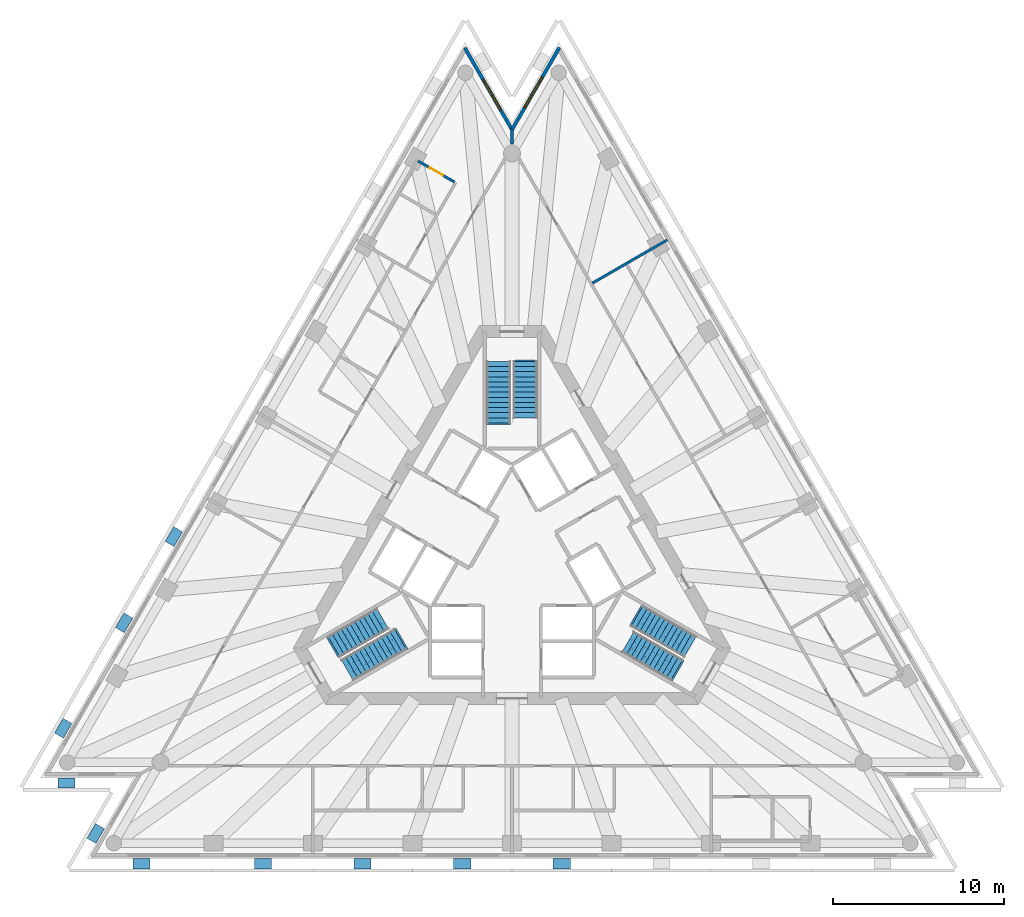
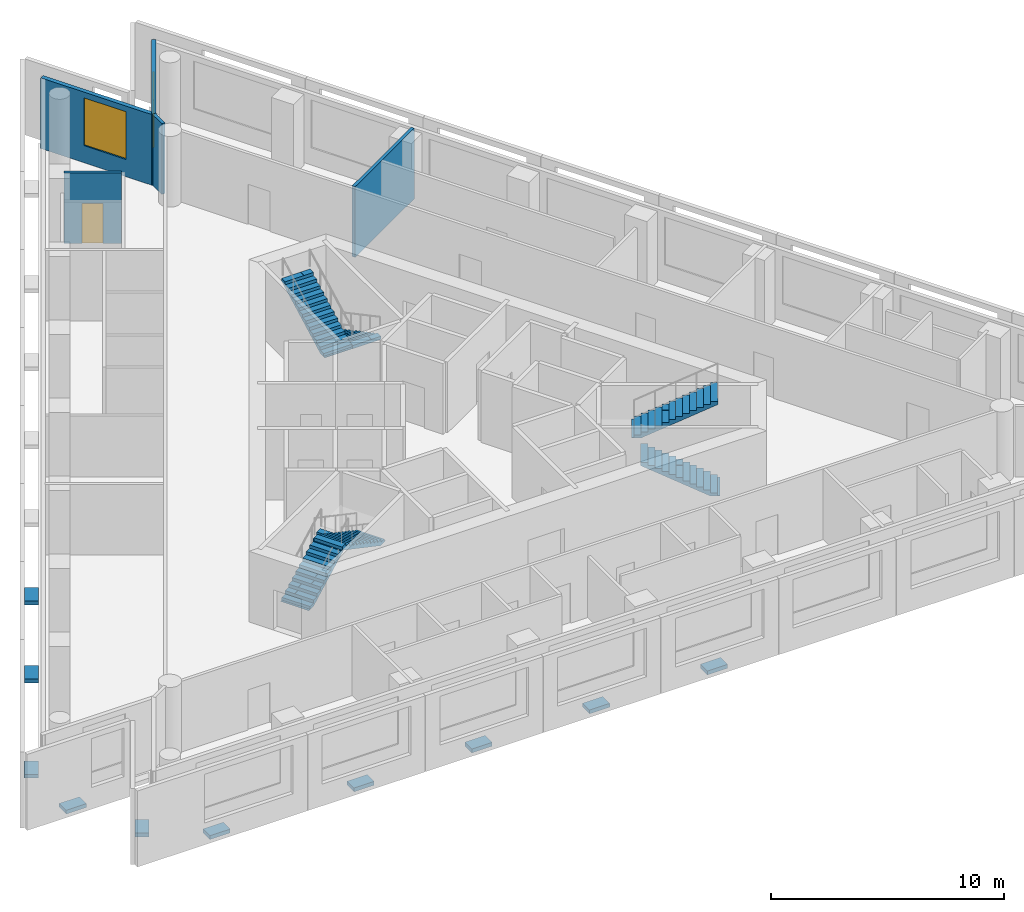
# One storey, part 7 of 10: 10 discrete accessories, 6 stair flights, 5 walls, 2 windows, 1 door, 3 openings, 3 elements without a shape of their own.
"""IFC4 building model written with IfcOpenShell, lengths in metres."""

from ifc_helpers import new_model, si_unit, direction, frame, frame_2d, origin, origin_2d, place, context, subcontext, project, spatial, polyline, rectangle, outline, extrude, material, layer, layer_set, layer_usage, type_object, element, fill, aggregate, save


model = new_model("IFC4")

# Units and contexts
model_context = context("Model", 3, precision=1e-05, world=origin(), true_north=direction((0.0, 1.0)))
body_context = subcontext(model_context, "Body", "Model", "MODEL_VIEW")
ifc_project = project(units=[si_unit("LENGTHUNIT", "METRE"), si_unit("AREAUNIT", "SQUARE_METRE"), si_unit("VOLUMEUNIT", "CUBIC_METRE"), si_unit("PLANEANGLEUNIT", "RADIAN"), si_unit("MASSUNIT", "GRAM", prefix="KILO")], contexts=[model_context])

# Site, building, storey
site_placement = place(None, origin())
site = spatial("IfcSite", under=ifc_project, at=site_placement, CompositionType="ELEMENT")
building_placement = place(site_placement, origin())
building = spatial("IfcBuilding", under=site, at=building_placement, Name="Triada Interchange Tower", CompositionType="ELEMENT")
storey_placement = place(building_placement, frame((0.0, 0.0, 247.300048828125)))
storey = spatial("IfcBuildingStorey", under=building, at=storey_placement, Name="L58", CompositionType="ELEMENT", Elevation=247.300048828125)

# Wall, opening, window
ifc_material_1 = material(Name="Cement board")
ifc_layer_1 = layer(ifc_material_1, 0.02001953125, Name="Cement board cladding")
ifc_material_2 = material(Name="Sheathing board")
ifc_layer_2 = layer(ifc_material_2, 0.014892578125, Name="Sheathing board")
ifc_material_3 = material(Name="Mineral wool")
ifc_layer_3 = layer(ifc_material_3, 0.14990234375, Name="Mineral wool between steel studs")
ifc_material_4 = material(Name="Gypsum board")
ifc_layer_4 = layer(ifc_material_4, 0.014892578125, Name="Plasterboard lining")
ifc_layer_set_1 = layer_set([ifc_layer_1, ifc_layer_2, ifc_layer_3, ifc_layer_4], Name="External wall 200")
ifc_layer_usage = layer_usage(ifc_layer_set_1, "AXIS2", "POSITIVE", -0.10009765625)
wall_type_1 = type_object("IfcWallType", Name="External wall 200", PredefinedType="ELEMENTEDWALL", material=ifc_layer_set_1)
wall_1_placement = place(storey_placement, frame((2.777099609375, 29.9951171875, 0.0), z_axis=(0.0, 0.0, 1.0), x_axis=(-0.499957919771, -0.866049697453, 0.0)))
wall_1 = element("IfcWall", 1, at=wall_1_placement, inside=storey, type_object=wall_type_1, material=ifc_layer_usage, Name="External wall L58 N-1", PredefinedType="ELEMENTEDWALL", context=body_context, shape_type="SweptSolid", body=[
    extrude(rectangle(XDim=5.62451171875, YDim=0.199951171875, at=frame_2d((2.812255859375, 0.0))), origin(), (0.0, 0.0, 1.0), 3.699951171875),
])
opening_1_placement = place(wall_1_placement, frame((1.989990234375, 0.0, 0.89990234375)))
opening_1 = element("IfcOpeningElement", 2, at=opening_1_placement, cuts=wall_1, Name="Opening WC29", PredefinedType="OPENING", context=body_context, shape_type="SweptSolid", body=[
    extrude(rectangle(XDim=2.10009765625, YDim=2.5, at=frame_2d((1.050048828125, 1.25))), frame((0.0, 0.10986328125, 0.0), z_axis=(0.0, -1.0, 0.0), x_axis=(1.0, 0.0, 0.0)), (0.0, 0.0, 1.0), 0.219970703125),
])
ifc_material_5 = material(Name="Double glazed aluminium window", Category="aluminium")
window_type = type_object("IfcWindowType", Name="Ribbon window C pocket", PartitioningType="SINGLE_PANEL", PredefinedType="WINDOW", material=ifc_material_5)
window_1_placement = place(opening_1_placement, origin())
window_1 = element("IfcWindow", 3, at=window_1_placement, inside=storey, type_object=window_type, Name="Window L58 N-1 1", OverallHeight=2.5, OverallWidth=2.10009765625, PartitioningType="SINGLE_PANEL", PredefinedType="WINDOW", context=body_context, shape_type="SweptSolid", body=[
    extrude(rectangle(XDim=2.10009765625, YDim=2.5, at=frame_2d((1.050048828125, 1.25))), frame((0.0, 0.030029296875, 0.0), z_axis=(0.0, -1.0, 0.0), x_axis=(1.0, 0.0, 0.0)), (0.0, 0.0, 1.0), 0.06005859375),
])
fill(opening_1, window_1)

wall_2_placement = place(storey_placement, frame((0.044921875, 25.10693359375, 0.0), z_axis=(0.0, 0.0, 1.0), x_axis=(-0.499957919771, 0.866049697453, 0.0)))
wall_2 = element("IfcWall", 4, at=wall_2_placement, inside=storey, type_object=wall_type_1, material=ifc_layer_usage, Name="External wall L58 N-2", PredefinedType="ELEMENTEDWALL", context=body_context, shape_type="SweptSolid", body=[
    extrude(rectangle(XDim=5.62451171875, YDim=0.199951171875, at=frame_2d((2.812255859375, 0.0))), origin(), (0.0, 0.0, 1.0), 3.699951171875),
])
opening_2_placement = place(wall_2_placement, frame((1.389892578125, 0.0, 0.89990234375)))
opening_2 = element("IfcOpeningElement", 5, at=opening_2_placement, cuts=wall_2, Name="Opening WC30", PredefinedType="OPENING", context=body_context, shape_type="SweptSolid", body=[
    extrude(rectangle(XDim=2.10009765625, YDim=2.5, at=frame_2d((1.050048828125, 1.25))), frame((0.0, 0.10986328125, 0.0), z_axis=(0.0, -1.0, 0.0), x_axis=(1.0, 0.0, 0.0)), (0.0, 0.0, 1.0), 0.219970703125),
])
window_2_placement = place(opening_2_placement, origin())
window_2 = element("IfcWindow", 6, at=window_2_placement, inside=storey, type_object=window_type, Name="Window L58 N-2 1", OverallHeight=2.5, OverallWidth=2.10009765625, PartitioningType="SINGLE_PANEL", PredefinedType="WINDOW", context=body_context, shape_type="SweptSolid", body=[
    extrude(rectangle(XDim=2.10009765625, YDim=2.5, at=frame_2d((1.050048828125, 1.25))), frame((0.0, 0.030029296875, 0.0), z_axis=(0.0, -1.0, 0.0), x_axis=(1.0, 0.0, 0.0)), (0.0, 0.0, 1.0), 0.06005859375),
])
fill(opening_2, window_2)

# Walls
ifc_material_6 = material(Name="Gypsum board partition")
ifc_layer_5 = layer(ifc_material_6, 0.14990234375)
ifc_layer_set_2 = layer_set([ifc_layer_5], Name="PARTITION 150 EI 180")
wall_type_2 = type_object("IfcWallType", Name="PARTITION 150 EI 180", PredefinedType="PARTITIONING", material=ifc_layer_set_2)
wall_3_placement = place(storey_placement, frame((0.0, 24.35009765625, 0.0), z_axis=(0.0, 0.0, 1.0), x_axis=(0.0, 1.0, 0.0)))
element("IfcWall", 7, at=wall_3_placement, inside=storey, type_object=wall_type_2, Name="Wall L56 20", PredefinedType="PARTITIONING", context=body_context, shape_type="SweptSolid", body=[
    extrude(rectangle(XDim=0.8349609375, YDim=0.14990234375, at=frame_2d((0.41748046875, 0.0))), origin(), (0.0, 0.0, 1.0), 3.699951171875),
])
wall_4_placement = place(storey_placement, frame((4.7109375, 16.18994140625, 0.0), z_axis=(0.0, 0.0, 1.0), x_axis=(0.866065287345, 0.499930913282, 0.0)))
element("IfcWall", 8, at=wall_4_placement, inside=storey, type_object=wall_type_2, Name="Wall L56 24", PredefinedType="PARTITIONING", context=body_context, shape_type="SweptSolid", body=[
    extrude(rectangle(XDim=5.069091796875, YDim=0.14990234375, at=frame_2d((2.53466796875, 0.0))), origin(), (0.0, 0.0, 1.0), 3.699951171875),
])

# Wall, opening, door
ifc_layer_6 = layer(ifc_material_6, 0.14990234375)
ifc_layer_set_3 = layer_set([ifc_layer_6], Name="PARTITION 150 EI 90")
wall_type_3 = type_object("IfcWallType", Name="PARTITION 150 EI 90", PredefinedType="PARTITIONING", material=ifc_layer_set_3)
wall_5_placement = place(storey_placement, frame((-5.501953125, 23.343994140625, 0.0), z_axis=(0.0, 0.0, 1.0), x_axis=(0.866000604582, -0.500042951019, 0.0)))
wall_5 = element("IfcWall", 9, at=wall_5_placement, inside=storey, type_object=wall_type_3, Name="Wall L56 30", PredefinedType="PARTITIONING", context=body_context, shape_type="SweptSolid", body=[
    extrude(rectangle(XDim=2.461669921875, YDim=0.14990234375, at=frame_2d((1.23095703125, 0.0))), origin(), (0.0, 0.0, 1.0), 3.699951171875),
])
opening_3_placement = place(wall_5_placement, frame((0.77490234375, 0.0, 0.0)))
opening_3 = element("IfcOpeningElement", 10, at=opening_3_placement, cuts=wall_5, Name="Opening D56-32", PredefinedType="OPENING", context=body_context, shape_type="SweptSolid", body=[
    extrude(rectangle(XDim=0.89990234375, YDim=2.10009765625, at=frame_2d((0.449951171875, 1.050048828125))), frame((0.0, 0.0849609375, 0.0), z_axis=(0.0, -1.0, 0.0), x_axis=(1.0, 0.0, 0.0)), (0.0, 0.0, 1.0), 0.169921875),
])
ifc_material_7 = material(Name="Steel S235 door leaf", Category="steel")
door_type = type_object("IfcDoorType", Name="SERVICE DOOR 900 EI2 45-C5S200", OperationType="NOTDEFINED", PredefinedType="DOOR", material=ifc_material_7)
door_placement = place(opening_3_placement, origin())
door = element("IfcDoor", 11, at=door_placement, inside=storey, type_object=door_type, Name="Door D56-32 L58", OperationType="SINGLE_SWING_RIGHT", OverallHeight=2.10009765625, OverallWidth=0.89990234375, PredefinedType="DOOR", context=body_context, shape_type="SweptSolid", body=[
    extrude(rectangle(XDim=0.89990234375, YDim=2.10009765625, at=frame_2d((0.449951171875, 1.050048828125))), frame((0.0, 0.02490234375, 0.0), z_axis=(0.0, -1.0, 0.0), x_axis=(1.0, 0.0, 0.0)), (0.0, 0.0, 1.0), 0.050048828125),
])
fill(opening_3, door)

# Stair, stair flights
ifc_material_8 = material(Name="Concrete C35/45", Category="concrete")
stair_type = type_object("IfcStairType", Name="HALF TURN STAIR 1400", PredefinedType="HALF_TURN_STAIR", material=ifc_material_8)
stair_1_placement = place(storey_placement, origin())
stair_1 = element("IfcStair", 12, at=stair_1_placement, inside=storey, type_object=stair_type, Name="Exit stair S56-1", PredefinedType="HALF_TURN_STAIR")
stair_flight_type = type_object("IfcStairFlightType", Name="STRAIGHT STAIR FLIGHT 1400", PredefinedType="STRAIGHT", material=ifc_material_8)
stair_flight_1_placement = place(storey_placement, frame((0.800048828125, 11.60009765625, 0.0), z_axis=(0.0, 0.0, 1.0), x_axis=(0.0, -1.0, 0.0)))
stair_flight_1 = element("IfcStairFlight", 13, at=stair_flight_1_placement, type_object=stair_flight_type, Name="S56-1 flight 1", NumberOfRisers=12, NumberOfTreads=11, PredefinedType="STRAIGHT", RiserHeight=0.16, TreadLength=0.3, context=body_context, shape_type="SweptSolid", body=[
    extrude(outline(polyline([(-0.10009765625, 0.0), (-0.10009765625, 0.02001953125), (0.0, 0.02001953125), (0.0, 0.159912109375), (0.300048828125, 0.159912109375), (0.300048828125, 0.320068359375), (0.60009765625, 0.320068359375), (0.60009765625, 0.47998046875), (0.89990234375, 0.47998046875), (0.89990234375, 0.639892578125), (1.199951171875, 0.639892578125), (1.199951171875, 0.800048828125), (1.5, 0.800048828125), (1.5, 0.9599609375), (1.800048828125, 0.9599609375), (1.800048828125, 1.1201171875), (2.10009765625, 1.1201171875), (2.10009765625, 1.280029296875), (2.39990234375, 1.280029296875), (2.39990234375, 1.43994140625), (2.699951171875, 1.43994140625), (2.699951171875, 1.60009765625), (3.0, 1.60009765625), (3.0, 1.760009765625), (3.300048828125, 1.760009765625), (3.303955078125, 1.760009765625), (3.303955078125, 1.919921875), (3.303955078125, 1.590087890625), (0.318603515625, 0.0), (-0.10009765625, 0.0)])), frame((0.0, 0.699951171875, 0.0), z_axis=(0.0, -1.0, 0.0), x_axis=(1.0, 0.0, 0.0)), (0.0, 0.0, 1.0), 0.46533203125),
    extrude(outline(polyline([(-0.10009765625, 0.0), (-0.10009765625, 0.02001953125), (0.0, 0.02001953125), (0.0, 0.159912109375), (0.300048828125, 0.159912109375), (0.300048828125, 0.320068359375), (0.60009765625, 0.320068359375), (0.60009765625, 0.47998046875), (0.89990234375, 0.47998046875), (0.89990234375, 0.639892578125), (1.199951171875, 0.639892578125), (1.199951171875, 0.800048828125), (1.5, 0.800048828125), (1.5, 0.9599609375), (1.800048828125, 0.9599609375), (1.800048828125, 1.1201171875), (2.10009765625, 1.1201171875), (2.10009765625, 1.280029296875), (2.39990234375, 1.280029296875), (2.39990234375, 1.43994140625), (2.699951171875, 1.43994140625), (2.699951171875, 1.60009765625), (3.0, 1.60009765625), (3.0, 1.760009765625), (3.300048828125, 1.760009765625), (3.303955078125, 1.760009765625), (3.303955078125, 1.919921875), (3.303955078125, 1.590087890625), (0.318603515625, 0.0), (-0.10009765625, 0.0)])), frame((0.0, 0.232666015625, 0.0), z_axis=(0.0, -1.0, 0.0), x_axis=(1.0, 0.0, 0.0)), (0.0, 0.0, 1.0), 0.46533203125),
    extrude(outline(polyline([(-0.10009765625, 0.0), (-0.10009765625, 0.02001953125), (0.0, 0.02001953125), (0.0, 0.159912109375), (0.300048828125, 0.159912109375), (0.300048828125, 0.320068359375), (0.60009765625, 0.320068359375), (0.60009765625, 0.47998046875), (0.89990234375, 0.47998046875), (0.89990234375, 0.639892578125), (1.199951171875, 0.639892578125), (1.199951171875, 0.800048828125), (1.5, 0.800048828125), (1.5, 0.9599609375), (1.800048828125, 0.9599609375), (1.800048828125, 1.1201171875), (2.10009765625, 1.1201171875), (2.10009765625, 1.280029296875), (2.39990234375, 1.280029296875), (2.39990234375, 1.43994140625), (2.699951171875, 1.43994140625), (2.699951171875, 1.60009765625), (3.0, 1.60009765625), (3.0, 1.760009765625), (3.300048828125, 1.760009765625), (3.303955078125, 1.760009765625), (3.303955078125, 1.919921875), (3.303955078125, 1.590087890625), (0.318603515625, 0.0), (-0.10009765625, 0.0)])), frame((0.0, -0.234619140625, 0.0), z_axis=(0.0, -1.0, 0.0), x_axis=(1.0, 0.0, 0.0)), (0.0, 0.0, 1.0), 0.46533203125),
])
stair_flight_2_placement = place(storey_placement, frame((-0.800048828125, 8.0, 1.919921875), z_axis=(0.0, 0.0, 1.0), x_axis=(0.0, 1.0, 0.0)))
stair_flight_2 = element("IfcStairFlight", 14, at=stair_flight_2_placement, type_object=stair_flight_type, Name="S56-1 flight 2", NumberOfRisers=13, NumberOfTreads=12, PredefinedType="STRAIGHT", RiserHeight=0.16, TreadLength=0.3, context=body_context, shape_type="SweptSolid", body=[
    extrude(outline(polyline([(-0.10009765625, 0.0), (-0.10009765625, 0.02001953125), (0.0, 0.02001953125), (0.0, 0.159912109375), (0.300048828125, 0.159912109375), (0.300048828125, 0.320068359375), (0.60009765625, 0.320068359375), (0.60009765625, 0.47998046875), (0.89990234375, 0.47998046875), (0.89990234375, 0.639892578125), (1.199951171875, 0.639892578125), (1.199951171875, 0.800048828125), (1.5, 0.800048828125), (1.5, 0.9599609375), (1.800048828125, 0.9599609375), (1.800048828125, 1.1201171875), (2.10009765625, 1.1201171875), (2.10009765625, 1.280029296875), (2.39990234375, 1.280029296875), (2.39990234375, 1.43994140625), (2.699951171875, 1.43994140625), (2.699951171875, 1.60009765625), (3.0, 1.60009765625), (3.0, 1.760009765625), (3.300048828125, 1.760009765625), (3.300048828125, 1.919921875), (3.60009765625, 1.919921875), (3.60400390625, 1.919921875), (3.60400390625, 2.080078125), (3.60400390625, 1.75), (0.318603515625, 0.0), (-0.10009765625, 0.0)])), frame((0.0, 0.699951171875, 0.0), z_axis=(0.0, -1.0, 0.0), x_axis=(1.0, 0.0, 0.0)), (0.0, 0.0, 1.0), 0.46533203125),
    extrude(outline(polyline([(-0.10009765625, 0.0), (-0.10009765625, 0.02001953125), (0.0, 0.02001953125), (0.0, 0.159912109375), (0.300048828125, 0.159912109375), (0.300048828125, 0.320068359375), (0.60009765625, 0.320068359375), (0.60009765625, 0.47998046875), (0.89990234375, 0.47998046875), (0.89990234375, 0.639892578125), (1.199951171875, 0.639892578125), (1.199951171875, 0.800048828125), (1.5, 0.800048828125), (1.5, 0.9599609375), (1.800048828125, 0.9599609375), (1.800048828125, 1.1201171875), (2.10009765625, 1.1201171875), (2.10009765625, 1.280029296875), (2.39990234375, 1.280029296875), (2.39990234375, 1.43994140625), (2.699951171875, 1.43994140625), (2.699951171875, 1.60009765625), (3.0, 1.60009765625), (3.0, 1.760009765625), (3.300048828125, 1.760009765625), (3.300048828125, 1.919921875), (3.60009765625, 1.919921875), (3.60400390625, 1.919921875), (3.60400390625, 2.080078125), (3.60400390625, 1.75), (0.318603515625, 0.0), (-0.10009765625, 0.0)])), frame((0.0, 0.232666015625, 0.0), z_axis=(0.0, -1.0, 0.0), x_axis=(1.0, 0.0, 0.0)), (0.0, 0.0, 1.0), 0.46533203125),
    extrude(outline(polyline([(-0.10009765625, 0.0), (-0.10009765625, 0.02001953125), (0.0, 0.02001953125), (0.0, 0.159912109375), (0.300048828125, 0.159912109375), (0.300048828125, 0.320068359375), (0.60009765625, 0.320068359375), (0.60009765625, 0.47998046875), (0.89990234375, 0.47998046875), (0.89990234375, 0.639892578125), (1.199951171875, 0.639892578125), (1.199951171875, 0.800048828125), (1.5, 0.800048828125), (1.5, 0.9599609375), (1.800048828125, 0.9599609375), (1.800048828125, 1.1201171875), (2.10009765625, 1.1201171875), (2.10009765625, 1.280029296875), (2.39990234375, 1.280029296875), (2.39990234375, 1.43994140625), (2.699951171875, 1.43994140625), (2.699951171875, 1.60009765625), (3.0, 1.60009765625), (3.0, 1.760009765625), (3.300048828125, 1.760009765625), (3.300048828125, 1.919921875), (3.60009765625, 1.919921875), (3.60400390625, 1.919921875), (3.60400390625, 2.080078125), (3.60400390625, 1.75), (0.318603515625, 0.0), (-0.10009765625, 0.0)])), frame((0.0, -0.234619140625, 0.0), z_axis=(0.0, -1.0, 0.0), x_axis=(1.0, 0.0, 0.0)), (0.0, 0.0, 1.0), 0.46533203125),
])
aggregate(stair_1, [stair_flight_1, stair_flight_2])

stair_2_placement = place(storey_placement, origin())
stair_2 = element("IfcStair", 15, at=stair_2_placement, inside=storey, type_object=stair_type, Name="Exit stair S56-2", PredefinedType="HALF_TURN_STAIR")
stair_flight_3_placement = place(storey_placement, frame((-10.446044921875, -5.10693359375, 0.0), z_axis=(0.0, 0.0, 1.0), x_axis=(0.866025403784, 0.5, 0.0)))
stair_flight_3 = element("IfcStairFlight", 16, at=stair_flight_3_placement, type_object=stair_flight_type, Name="S56-2 flight 1", NumberOfRisers=12, NumberOfTreads=11, PredefinedType="STRAIGHT", RiserHeight=0.16, TreadLength=0.3, context=body_context, shape_type="SweptSolid", body=[
    extrude(outline(polyline([(-0.10009765625, 0.0), (-0.10009765625, 0.02001953125), (0.0, 0.02001953125), (0.0, 0.159912109375), (0.300048828125, 0.159912109375), (0.300048828125, 0.320068359375), (0.60009765625, 0.320068359375), (0.60009765625, 0.47998046875), (0.89990234375, 0.47998046875), (0.89990234375, 0.639892578125), (1.199951171875, 0.639892578125), (1.199951171875, 0.800048828125), (1.5, 0.800048828125), (1.5, 0.9599609375), (1.800048828125, 0.9599609375), (1.800048828125, 1.1201171875), (2.10009765625, 1.1201171875), (2.10009765625, 1.280029296875), (2.39990234375, 1.280029296875), (2.39990234375, 1.43994140625), (2.699951171875, 1.43994140625), (2.699951171875, 1.60009765625), (3.0, 1.60009765625), (3.0, 1.760009765625), (3.300048828125, 1.760009765625), (3.303955078125, 1.760009765625), (3.303955078125, 1.919921875), (3.303955078125, 1.590087890625), (0.318603515625, 0.0), (-0.10009765625, 0.0)])), frame((0.0, 0.699951171875, 0.0), z_axis=(0.0, -1.0, 0.0), x_axis=(1.0, 0.0, 0.0)), (0.0, 0.0, 1.0), 0.46533203125),
    extrude(outline(polyline([(-0.10009765625, 0.0), (-0.10009765625, 0.02001953125), (0.0, 0.02001953125), (0.0, 0.159912109375), (0.300048828125, 0.159912109375), (0.300048828125, 0.320068359375), (0.60009765625, 0.320068359375), (0.60009765625, 0.47998046875), (0.89990234375, 0.47998046875), (0.89990234375, 0.639892578125), (1.199951171875, 0.639892578125), (1.199951171875, 0.800048828125), (1.5, 0.800048828125), (1.5, 0.9599609375), (1.800048828125, 0.9599609375), (1.800048828125, 1.1201171875), (2.10009765625, 1.1201171875), (2.10009765625, 1.280029296875), (2.39990234375, 1.280029296875), (2.39990234375, 1.43994140625), (2.699951171875, 1.43994140625), (2.699951171875, 1.60009765625), (3.0, 1.60009765625), (3.0, 1.760009765625), (3.300048828125, 1.760009765625), (3.303955078125, 1.760009765625), (3.303955078125, 1.919921875), (3.303955078125, 1.590087890625), (0.318603515625, 0.0), (-0.10009765625, 0.0)])), frame((0.0, 0.232666015625, 0.0), z_axis=(0.0, -1.0, 0.0), x_axis=(1.0, 0.0, 0.0)), (0.0, 0.0, 1.0), 0.46533203125),
    extrude(outline(polyline([(-0.10009765625, 0.0), (-0.10009765625, 0.02001953125), (0.0, 0.02001953125), (0.0, 0.159912109375), (0.300048828125, 0.159912109375), (0.300048828125, 0.320068359375), (0.60009765625, 0.320068359375), (0.60009765625, 0.47998046875), (0.89990234375, 0.47998046875), (0.89990234375, 0.639892578125), (1.199951171875, 0.639892578125), (1.199951171875, 0.800048828125), (1.5, 0.800048828125), (1.5, 0.9599609375), (1.800048828125, 0.9599609375), (1.800048828125, 1.1201171875), (2.10009765625, 1.1201171875), (2.10009765625, 1.280029296875), (2.39990234375, 1.280029296875), (2.39990234375, 1.43994140625), (2.699951171875, 1.43994140625), (2.699951171875, 1.60009765625), (3.0, 1.60009765625), (3.0, 1.760009765625), (3.300048828125, 1.760009765625), (3.303955078125, 1.760009765625), (3.303955078125, 1.919921875), (3.303955078125, 1.590087890625), (0.318603515625, 0.0), (-0.10009765625, 0.0)])), frame((0.0, -0.234619140625, 0.0), z_axis=(0.0, -1.0, 0.0), x_axis=(1.0, 0.0, 0.0)), (0.0, 0.0, 1.0), 0.46533203125),
])
stair_flight_4_placement = place(storey_placement, frame((-6.528076171875, -4.693115234375, 1.919921875), z_axis=(0.0, 0.0, 1.0), x_axis=(-0.866025403784, -0.5, 0.0)))
stair_flight_4 = element("IfcStairFlight", 17, at=stair_flight_4_placement, type_object=stair_flight_type, Name="S56-2 flight 2", NumberOfRisers=13, NumberOfTreads=12, PredefinedType="STRAIGHT", RiserHeight=0.16, TreadLength=0.3, context=body_context, shape_type="SweptSolid", body=[
    extrude(outline(polyline([(-0.10009765625, 0.0), (-0.10009765625, 0.02001953125), (0.0, 0.02001953125), (0.0, 0.159912109375), (0.300048828125, 0.159912109375), (0.300048828125, 0.320068359375), (0.60009765625, 0.320068359375), (0.60009765625, 0.47998046875), (0.89990234375, 0.47998046875), (0.89990234375, 0.639892578125), (1.199951171875, 0.639892578125), (1.199951171875, 0.800048828125), (1.5, 0.800048828125), (1.5, 0.9599609375), (1.800048828125, 0.9599609375), (1.800048828125, 1.1201171875), (2.10009765625, 1.1201171875), (2.10009765625, 1.280029296875), (2.39990234375, 1.280029296875), (2.39990234375, 1.43994140625), (2.699951171875, 1.43994140625), (2.699951171875, 1.60009765625), (3.0, 1.60009765625), (3.0, 1.760009765625), (3.300048828125, 1.760009765625), (3.300048828125, 1.919921875), (3.60009765625, 1.919921875), (3.60400390625, 1.919921875), (3.60400390625, 2.080078125), (3.60400390625, 1.75), (0.318603515625, 0.0), (-0.10009765625, 0.0)])), frame((0.0, 0.699951171875, 0.0), z_axis=(0.0, -1.0, 0.0), x_axis=(1.0, 0.0, 0.0)), (0.0, 0.0, 1.0), 0.46533203125),
    extrude(outline(polyline([(-0.10009765625, 0.0), (-0.10009765625, 0.02001953125), (0.0, 0.02001953125), (0.0, 0.159912109375), (0.300048828125, 0.159912109375), (0.300048828125, 0.320068359375), (0.60009765625, 0.320068359375), (0.60009765625, 0.47998046875), (0.89990234375, 0.47998046875), (0.89990234375, 0.639892578125), (1.199951171875, 0.639892578125), (1.199951171875, 0.800048828125), (1.5, 0.800048828125), (1.5, 0.9599609375), (1.800048828125, 0.9599609375), (1.800048828125, 1.1201171875), (2.10009765625, 1.1201171875), (2.10009765625, 1.280029296875), (2.39990234375, 1.280029296875), (2.39990234375, 1.43994140625), (2.699951171875, 1.43994140625), (2.699951171875, 1.60009765625), (3.0, 1.60009765625), (3.0, 1.760009765625), (3.300048828125, 1.760009765625), (3.300048828125, 1.919921875), (3.60009765625, 1.919921875), (3.60400390625, 1.919921875), (3.60400390625, 2.080078125), (3.60400390625, 1.75), (0.318603515625, 0.0), (-0.10009765625, 0.0)])), frame((0.0, 0.232666015625, 0.0), z_axis=(0.0, -1.0, 0.0), x_axis=(1.0, 0.0, 0.0)), (0.0, 0.0, 1.0), 0.46533203125),
    extrude(outline(polyline([(-0.10009765625, 0.0), (-0.10009765625, 0.02001953125), (0.0, 0.02001953125), (0.0, 0.159912109375), (0.300048828125, 0.159912109375), (0.300048828125, 0.320068359375), (0.60009765625, 0.320068359375), (0.60009765625, 0.47998046875), (0.89990234375, 0.47998046875), (0.89990234375, 0.639892578125), (1.199951171875, 0.639892578125), (1.199951171875, 0.800048828125), (1.5, 0.800048828125), (1.5, 0.9599609375), (1.800048828125, 0.9599609375), (1.800048828125, 1.1201171875), (2.10009765625, 1.1201171875), (2.10009765625, 1.280029296875), (2.39990234375, 1.280029296875), (2.39990234375, 1.43994140625), (2.699951171875, 1.43994140625), (2.699951171875, 1.60009765625), (3.0, 1.60009765625), (3.0, 1.760009765625), (3.300048828125, 1.760009765625), (3.300048828125, 1.919921875), (3.60009765625, 1.919921875), (3.60400390625, 1.919921875), (3.60400390625, 2.080078125), (3.60400390625, 1.75), (0.318603515625, 0.0), (-0.10009765625, 0.0)])), frame((0.0, -0.234619140625, 0.0), z_axis=(0.0, -1.0, 0.0), x_axis=(1.0, 0.0, 0.0)), (0.0, 0.0, 1.0), 0.46533203125),
])
aggregate(stair_2, [stair_flight_3, stair_flight_4])

stair_3_placement = place(storey_placement, origin())
stair_3 = element("IfcStair", 18, at=stair_3_placement, inside=storey, type_object=stair_type, Name="Exit stair S56-3", PredefinedType="HALF_TURN_STAIR")
stair_flight_5_placement = place(storey_placement, frame((9.64599609375, -6.492919921875, 0.0), z_axis=(0.0, 0.0, 1.0), x_axis=(-0.866025403784, 0.5, 0.0)))
stair_flight_5 = element("IfcStairFlight", 19, at=stair_flight_5_placement, type_object=stair_flight_type, Name="S56-3 flight 1", NumberOfRisers=12, NumberOfTreads=11, PredefinedType="STRAIGHT", RiserHeight=0.16, TreadLength=0.3, context=body_context, shape_type="SweptSolid", body=[
    extrude(outline(polyline([(-0.10009765625, 0.0), (-0.10009765625, 0.02001953125), (0.0, 0.02001953125), (0.0, 0.159912109375), (0.300048828125, 0.159912109375), (0.300048828125, 0.320068359375), (0.60009765625, 0.320068359375), (0.60009765625, 0.47998046875), (0.89990234375, 0.47998046875), (0.89990234375, 0.639892578125), (1.199951171875, 0.639892578125), (1.199951171875, 0.800048828125), (1.5, 0.800048828125), (1.5, 0.9599609375), (1.800048828125, 0.9599609375), (1.800048828125, 1.1201171875), (2.10009765625, 1.1201171875), (2.10009765625, 1.280029296875), (2.39990234375, 1.280029296875), (2.39990234375, 1.43994140625), (2.699951171875, 1.43994140625), (2.699951171875, 1.60009765625), (3.0, 1.60009765625), (3.0, 1.760009765625), (3.300048828125, 1.760009765625), (3.303955078125, 1.760009765625), (3.303955078125, 1.919921875), (3.303955078125, 1.590087890625), (0.318603515625, 0.0), (-0.10009765625, 0.0)])), frame((0.0, 0.699951171875, 0.0), z_axis=(0.0, -1.0, 0.0), x_axis=(1.0, 0.0, 0.0)), (0.0, 0.0, 1.0), 0.46533203125),
    extrude(outline(polyline([(-0.10009765625, 0.0), (-0.10009765625, 0.02001953125), (0.0, 0.02001953125), (0.0, 0.159912109375), (0.300048828125, 0.159912109375), (0.300048828125, 0.320068359375), (0.60009765625, 0.320068359375), (0.60009765625, 0.47998046875), (0.89990234375, 0.47998046875), (0.89990234375, 0.639892578125), (1.199951171875, 0.639892578125), (1.199951171875, 0.800048828125), (1.5, 0.800048828125), (1.5, 0.9599609375), (1.800048828125, 0.9599609375), (1.800048828125, 1.1201171875), (2.10009765625, 1.1201171875), (2.10009765625, 1.280029296875), (2.39990234375, 1.280029296875), (2.39990234375, 1.43994140625), (2.699951171875, 1.43994140625), (2.699951171875, 1.60009765625), (3.0, 1.60009765625), (3.0, 1.760009765625), (3.300048828125, 1.760009765625), (3.303955078125, 1.760009765625), (3.303955078125, 1.919921875), (3.303955078125, 1.590087890625), (0.318603515625, 0.0), (-0.10009765625, 0.0)])), frame((0.0, 0.232666015625, 0.0), z_axis=(0.0, -1.0, 0.0), x_axis=(1.0, 0.0, 0.0)), (0.0, 0.0, 1.0), 0.46533203125),
    extrude(outline(polyline([(-0.10009765625, 0.0), (-0.10009765625, 0.02001953125), (0.0, 0.02001953125), (0.0, 0.159912109375), (0.300048828125, 0.159912109375), (0.300048828125, 0.320068359375), (0.60009765625, 0.320068359375), (0.60009765625, 0.47998046875), (0.89990234375, 0.47998046875), (0.89990234375, 0.639892578125), (1.199951171875, 0.639892578125), (1.199951171875, 0.800048828125), (1.5, 0.800048828125), (1.5, 0.9599609375), (1.800048828125, 0.9599609375), (1.800048828125, 1.1201171875), (2.10009765625, 1.1201171875), (2.10009765625, 1.280029296875), (2.39990234375, 1.280029296875), (2.39990234375, 1.43994140625), (2.699951171875, 1.43994140625), (2.699951171875, 1.60009765625), (3.0, 1.60009765625), (3.0, 1.760009765625), (3.300048828125, 1.760009765625), (3.303955078125, 1.760009765625), (3.303955078125, 1.919921875), (3.303955078125, 1.590087890625), (0.318603515625, 0.0), (-0.10009765625, 0.0)])), frame((0.0, -0.234619140625, 0.0), z_axis=(0.0, -1.0, 0.0), x_axis=(1.0, 0.0, 0.0)), (0.0, 0.0, 1.0), 0.46533203125),
])
stair_flight_6_placement = place(storey_placement, frame((7.327880859375, -3.306884765625, 1.919921875), z_axis=(0.0, 0.0, 1.0), x_axis=(0.866025403784, -0.5, 0.0)))
stair_flight_6 = element("IfcStairFlight", 20, at=stair_flight_6_placement, type_object=stair_flight_type, Name="S56-3 flight 2", NumberOfRisers=13, NumberOfTreads=12, PredefinedType="STRAIGHT", RiserHeight=0.16, TreadLength=0.3, context=body_context, shape_type="SweptSolid", body=[
    extrude(outline(polyline([(-0.10009765625, 0.0), (-0.10009765625, 0.02001953125), (0.0, 0.02001953125), (0.0, 0.159912109375), (0.300048828125, 0.159912109375), (0.300048828125, 0.320068359375), (0.60009765625, 0.320068359375), (0.60009765625, 0.47998046875), (0.89990234375, 0.47998046875), (0.89990234375, 0.639892578125), (1.199951171875, 0.639892578125), (1.199951171875, 0.800048828125), (1.5, 0.800048828125), (1.5, 0.9599609375), (1.800048828125, 0.9599609375), (1.800048828125, 1.1201171875), (2.10009765625, 1.1201171875), (2.10009765625, 1.280029296875), (2.39990234375, 1.280029296875), (2.39990234375, 1.43994140625), (2.699951171875, 1.43994140625), (2.699951171875, 1.60009765625), (3.0, 1.60009765625), (3.0, 1.760009765625), (3.300048828125, 1.760009765625), (3.300048828125, 1.919921875), (3.60009765625, 1.919921875), (3.60400390625, 1.919921875), (3.60400390625, 2.080078125), (3.60400390625, 1.75), (0.318603515625, 0.0), (-0.10009765625, 0.0)])), frame((0.0, 0.699951171875, 0.0), z_axis=(0.0, -1.0, 0.0), x_axis=(1.0, 0.0, 0.0)), (0.0, 0.0, 1.0), 0.46533203125),
    extrude(outline(polyline([(-0.10009765625, 0.0), (-0.10009765625, 0.02001953125), (0.0, 0.02001953125), (0.0, 0.159912109375), (0.300048828125, 0.159912109375), (0.300048828125, 0.320068359375), (0.60009765625, 0.320068359375), (0.60009765625, 0.47998046875), (0.89990234375, 0.47998046875), (0.89990234375, 0.639892578125), (1.199951171875, 0.639892578125), (1.199951171875, 0.800048828125), (1.5, 0.800048828125), (1.5, 0.9599609375), (1.800048828125, 0.9599609375), (1.800048828125, 1.1201171875), (2.10009765625, 1.1201171875), (2.10009765625, 1.280029296875), (2.39990234375, 1.280029296875), (2.39990234375, 1.43994140625), (2.699951171875, 1.43994140625), (2.699951171875, 1.60009765625), (3.0, 1.60009765625), (3.0, 1.760009765625), (3.300048828125, 1.760009765625), (3.300048828125, 1.919921875), (3.60009765625, 1.919921875), (3.60400390625, 1.919921875), (3.60400390625, 2.080078125), (3.60400390625, 1.75), (0.318603515625, 0.0), (-0.10009765625, 0.0)])), frame((0.0, 0.232666015625, 0.0), z_axis=(0.0, -1.0, 0.0), x_axis=(1.0, 0.0, 0.0)), (0.0, 0.0, 1.0), 0.46533203125),
    extrude(outline(polyline([(-0.10009765625, 0.0), (-0.10009765625, 0.02001953125), (0.0, 0.02001953125), (0.0, 0.159912109375), (0.300048828125, 0.159912109375), (0.300048828125, 0.320068359375), (0.60009765625, 0.320068359375), (0.60009765625, 0.47998046875), (0.89990234375, 0.47998046875), (0.89990234375, 0.639892578125), (1.199951171875, 0.639892578125), (1.199951171875, 0.800048828125), (1.5, 0.800048828125), (1.5, 0.9599609375), (1.800048828125, 0.9599609375), (1.800048828125, 1.1201171875), (2.10009765625, 1.1201171875), (2.10009765625, 1.280029296875), (2.39990234375, 1.280029296875), (2.39990234375, 1.43994140625), (2.699951171875, 1.43994140625), (2.699951171875, 1.60009765625), (3.0, 1.60009765625), (3.0, 1.760009765625), (3.300048828125, 1.760009765625), (3.300048828125, 1.919921875), (3.60009765625, 1.919921875), (3.60400390625, 1.919921875), (3.60400390625, 2.080078125), (3.60400390625, 1.75), (0.318603515625, 0.0), (-0.10009765625, 0.0)])), frame((0.0, -0.234619140625, 0.0), z_axis=(0.0, -1.0, 0.0), x_axis=(1.0, 0.0, 0.0)), (0.0, 0.0, 1.0), 0.46533203125),
])
aggregate(stair_3, [stair_flight_5, stair_flight_6])

# Discrete accessories
ifc_material_9 = material(Name="Steel S355", Category="steel")
discrete_accessory_type = type_object("IfcDiscreteAccessoryType", Name="Steel bracket outer skin", PredefinedType="BRACKET", material=ifc_material_9)
for number, where, z_axis, x_axis, name in (
    (21, (-19.81103515625, 1.3349609375, -0.27001953125), (0.0, 0.0, 1.0), (-0.866030360477, 0.499991414658, 0.0), "Bracket L58 06"),
    (22, (-22.72705078125, -3.716064453125, -0.27001953125), (0.0, 0.0, 1.0), (-0.866030360477, 0.499991414658, 0.0), "Bracket L58 07"),
    (23, (-26.29296875, -9.89208984375, -0.27001953125), (0.0, 0.0, 1.0), (-0.866030360477, 0.499991414658, 0.0), "Bracket L58 08"),
    (24, (-26.10205078125, -13.093017578125, -0.27001953125), (0.0, 0.0, 1.0), (0.0, -1.0, 0.0), "Bracket L58 09"),
    (25, (-24.388916015625, -16.05908203125, -0.27001953125), (0.0, 0.0, 1.0), (-0.865981339585, 0.500076313667, 0.0), "Bracket L58 10"),
    (26, (-21.712890625, -17.823974609375, -0.27001953125), (0.0, 0.0, 1.0), (0.0, -1.0, 0.0), "Bracket L58 11"),
    (27, (-14.5810546875, -17.823974609375, -0.27001953125), (0.0, 0.0, 1.0), (0.0, -1.0, 0.0), "Bracket L58 12"),
    (28, (-8.7490234375, -17.823974609375, -0.27001953125), (0.0, 0.0, 1.0), (0.0, -1.0, 0.0), "Bracket L58 13"),
    (29, (-2.916015625, -17.823974609375, -0.27001953125), (0.0, 0.0, 1.0), (0.0, -1.0, 0.0), "Bracket L58 14"),
    (30, (2.916015625, -17.823974609375, -0.27001953125), (0.0, 0.0, 1.0), (0.0, -1.0, 0.0), "Bracket L58 15"),
):
    element("IfcDiscreteAccessory", number, at=place(storey_placement, frame(where, z_axis=z_axis, x_axis=x_axis)), inside=storey, type_object=discrete_accessory_type, Name=name, PredefinedType="BRACKET", context=body_context, shape_type="SweptSolid", body=[
        extrude(rectangle(XDim=0.60009765625, YDim=1.0, at=origin_2d()), origin(), (0.0, 0.0, 1.0), 0.199951171875),
    ])

save(model, "model.ifc")
